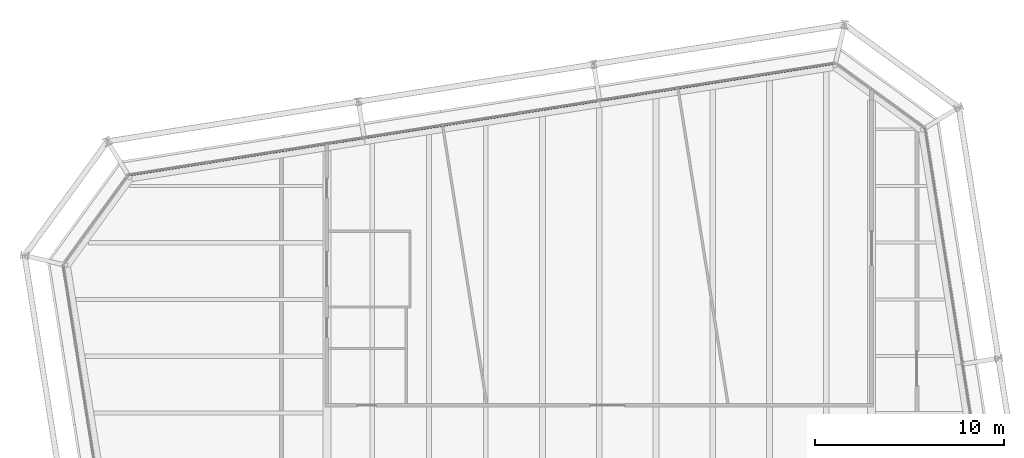
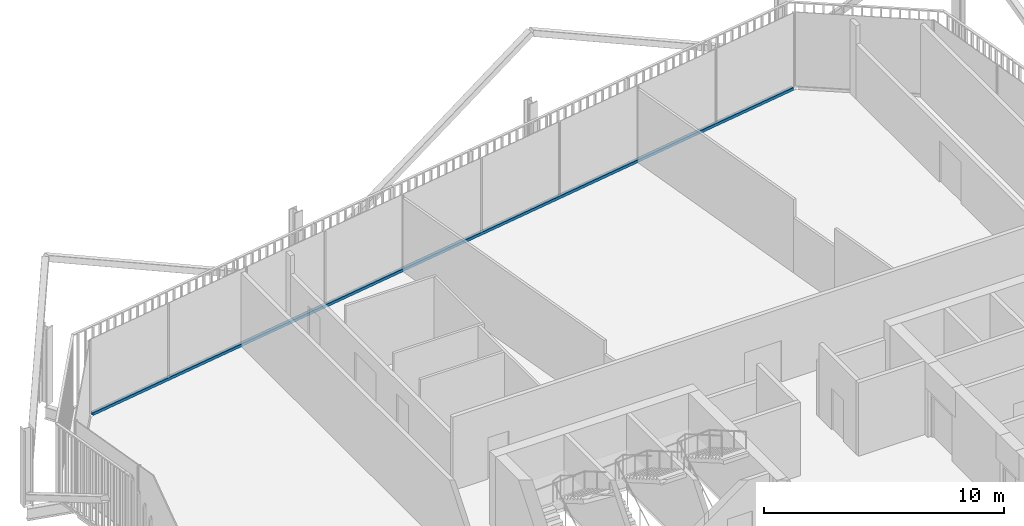
# One storey, part 14 of 21: 1 member, 1 element without a shape of its own.
"""IFC4 building model written with IfcOpenShell, lengths in metres."""

from ifc_helpers import new_model, si_unit, direction, frame, origin, origin_2d, place, context, subcontext, project, spatial, rectangle, extrude, material, layer, layer_set, material_profile, profile_set, type_object, element, aggregate, save


model = new_model("IFC4")

# Units and contexts
model_context = context("Model", 3, precision=1e-05, world=origin(), true_north=direction((0.0, 1.0)))
body_context = subcontext(model_context, "Body", "Model", "MODEL_VIEW")
ifc_project = project(units=[si_unit("LENGTHUNIT", "METRE"), si_unit("AREAUNIT", "SQUARE_METRE"), si_unit("VOLUMEUNIT", "CUBIC_METRE"), si_unit("PLANEANGLEUNIT", "RADIAN"), si_unit("MASSUNIT", "GRAM", prefix="KILO")], contexts=[model_context])

# Site, building, storey
site_placement = place(None, origin())
site = spatial("IfcSite", under=ifc_project, at=site_placement, CompositionType="ELEMENT")
building_placement = place(site_placement, origin())
building = spatial("IfcBuilding", under=site, at=building_placement, Name="Millrace Tower", CompositionType="ELEMENT")
storey_placement = place(building_placement, frame((0.0, 0.0, 228.10009765625)))
storey = spatial("IfcBuildingStorey", under=building, at=storey_placement, Name="L52", CompositionType="ELEMENT", Elevation=228.10009765625)

# Curtain wall, member
ifc_material_1 = material(Name="Aluminium and glass", Category="aluminium")
ifc_layer = layer(ifc_material_1, 0.14990234375)
ifc_layer_set = layer_set([ifc_layer], Name="Aluminium and glass")
curtain_wall_type = type_object("IfcCurtainWallType", Name="CW-1 office vision curtain wall", PredefinedType="NOTDEFINED", material=ifc_layer_set)
curtain_wall_placement = place(storey_placement, origin())
curtain_wall = element("IfcCurtainWall", 1, at=curtain_wall_placement, inside=storey, type_object=curtain_wall_type, Name="Curtain wall D-F06 L52", PredefinedType="NOTDEFINED")
ifc_material_2 = material(Name="Aluminium", Category="aluminium")
ifc_material_profile = material_profile(ifc_material_2, rectangle(XDim=0.14990234375, YDim=0.139892578125, at=origin_2d()))
ifc_profile_set = profile_set([ifc_material_profile], Name="Aluminium")
member_type = type_object("IfcMemberType", Name="CW-1 office vision curtain wall transom", PredefinedType="USERDEFINED", material=ifc_profile_set)
member_placement = place(storey_placement, frame((12.35888671875, 30.48193359375, 0.06982421875), z_axis=(-0.987687829698, -0.156437690685, 0.0), x_axis=(0.156437690685, -0.987687829698, 0.0)))
member = element("IfcMember", 2, at=member_placement, type_object=member_type, Name="CW1 transom D-F06.1", ObjectType="TRANSOM", PredefinedType="USERDEFINED", context=body_context, shape_type="SweptSolid", body=[
    extrude(rectangle(XDim=0.14990234375, YDim=0.139892578125, at=origin_2d()), origin(), (0.0, 0.0, 1.0), 37.60009765625),
])
aggregate(curtain_wall, [member])

save(model, "model.ifc")
